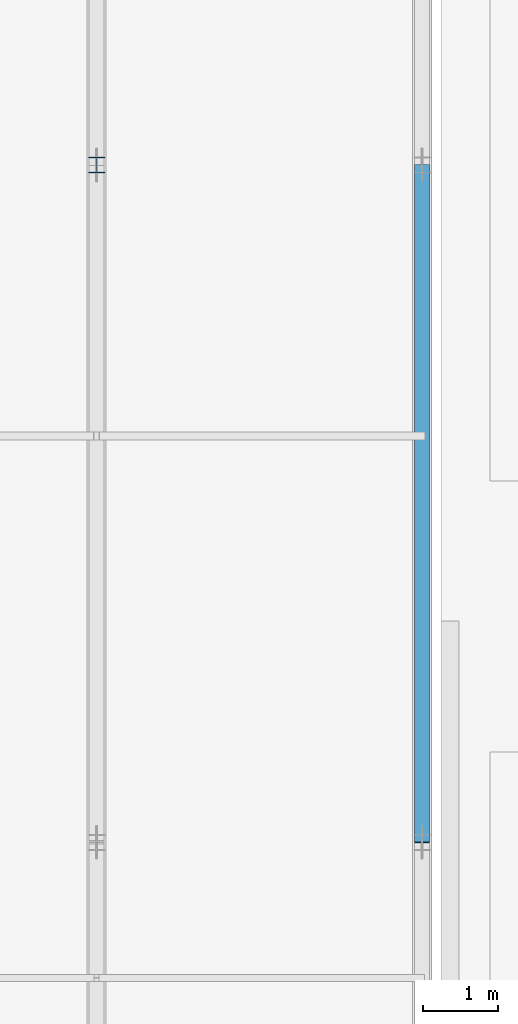
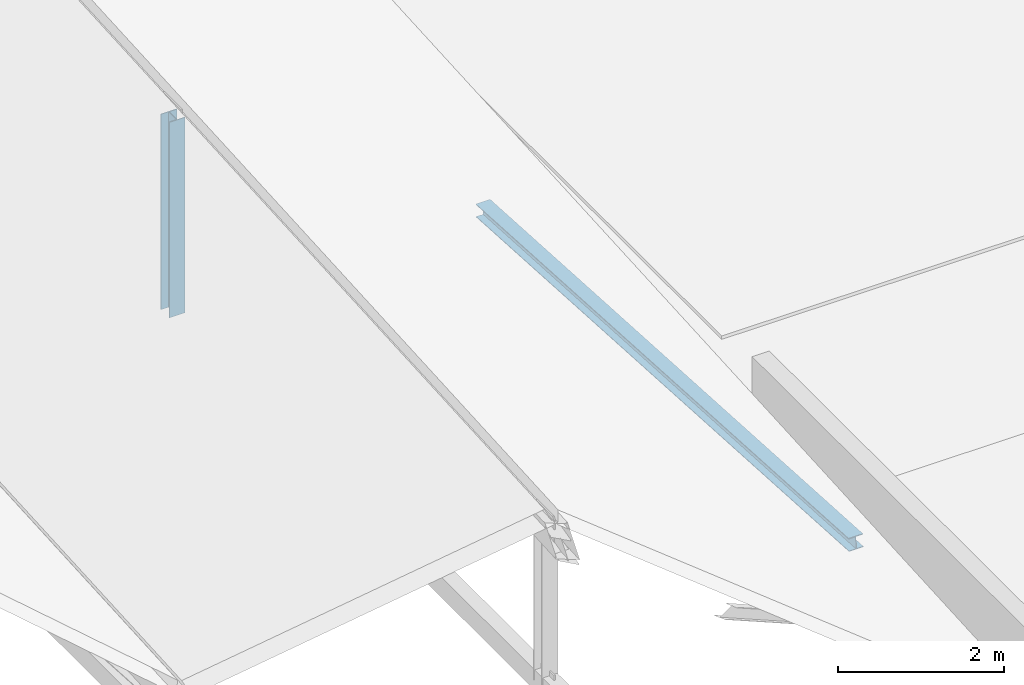
# One storey, part 57 of 142: 2 members.
"""IFC4 building model written with IfcOpenShell, lengths in metres."""

from ifc_helpers import new_model, si_unit, direction, frame, origin, origin_2d, place, context, subcontext, project, spatial, i_section, extrude, material, material_profile, profile_set, type_object, element, save


model = new_model("IFC4")

# Units and contexts
model_context = context("Model", 3, precision=1e-05, world=origin(), true_north=direction((0.0, 1.0)))
body_context = subcontext(model_context, "Body", "Model", "MODEL_VIEW")
ifc_project = project(units=[si_unit("LENGTHUNIT", "METRE"), si_unit("AREAUNIT", "SQUARE_METRE"), si_unit("VOLUMEUNIT", "CUBIC_METRE"), si_unit("PLANEANGLEUNIT", "RADIAN"), si_unit("MASSUNIT", "GRAM", prefix="KILO")], contexts=[model_context])

# Site, building, storey
site_placement = place(None, origin())
site = spatial("IfcSite", under=ifc_project, at=site_placement, CompositionType="ELEMENT")
building_placement = place(site_placement, origin())
building = spatial("IfcBuilding", under=site, at=building_placement, Name="Montelvaro Courts of Justice", CompositionType="ELEMENT")
storey_placement = place(building_placement, frame((0.0, 0.0, 14.39990234375)))
storey = spatial("IfcBuildingStorey", under=building, at=storey_placement, Name="L03", CompositionType="ELEMENT", Elevation=14.39990234375)

# Members
ifc_material = material(Name="Steel S355", Category="steel")
ifc_material_profile_1 = material_profile(ifc_material, i_section(OverallWidth=0.199951171875, OverallDepth=0.18994140625, WebThickness=0.006591796875, FlangeThickness=0.010009765625, at=origin_2d()), Name="HEA 200")
ifc_profile_set_1 = profile_set([ifc_material_profile_1], Name="Steel S355")
member_type_1 = type_object("IfcMemberType", Name="Mem_HEA200_Brace", PredefinedType="BRACE", material=ifc_profile_set_1)
member_1_placement = place(storey_placement, frame((98.800048828125, 51.0, 0.22998046875), z_axis=(0.0, 0.998271944472, -0.058763295342), x_axis=(-1.0, 0.0, 0.0)))
element("IfcMember", 1, at=member_1_placement, inside=storey, type_object=member_type_1, Name="Roof Truss Web MB-02 ROOF-PASSAGE-VTR06-W2", PredefinedType="BRACE", context=body_context, shape_type="SweptSolid", body=[
    extrude(i_section(OverallWidth=0.199951171875, OverallDepth=0.18994140625, WebThickness=0.006591796875, FlangeThickness=0.010009765625, at=origin_2d()), origin(), (0.0, 0.0, 1.0), 9.015625),
])
ifc_material_profile_2 = material_profile(ifc_material, i_section(OverallWidth=0.219970703125, OverallDepth=0.2099609375, WebThickness=0.007080078125, FlangeThickness=0.010986328125, at=origin_2d()), Name="HEA 220")
ifc_profile_set_2 = profile_set([ifc_material_profile_2], Name="Steel S355")
member_type_2 = type_object("IfcMemberType", Name="Mem_HEA220_Post", PredefinedType="POST", material=ifc_profile_set_2)
member_2_placement = place(storey_placement, frame((94.47509765625, 60.0, -0.2998046875), z_axis=(0.0, 0.0, 1.0), x_axis=(1.0, 0.0, 0.0)))
element("IfcMember", 2, at=member_2_placement, inside=storey, type_object=member_type_2, Name="Roof Truss Post MP-03 ROOF-PASSAGE-RTR05-V2", PredefinedType="POST", context=body_context, shape_type="SweptSolid", body=[
    extrude(i_section(OverallWidth=0.219970703125, OverallDepth=0.2099609375, WebThickness=0.007080078125, FlangeThickness=0.010986328125, at=origin_2d()), origin(), (0.0, 0.0, 1.0), 2.8798828125),
])

save(model, "model.ifc")
